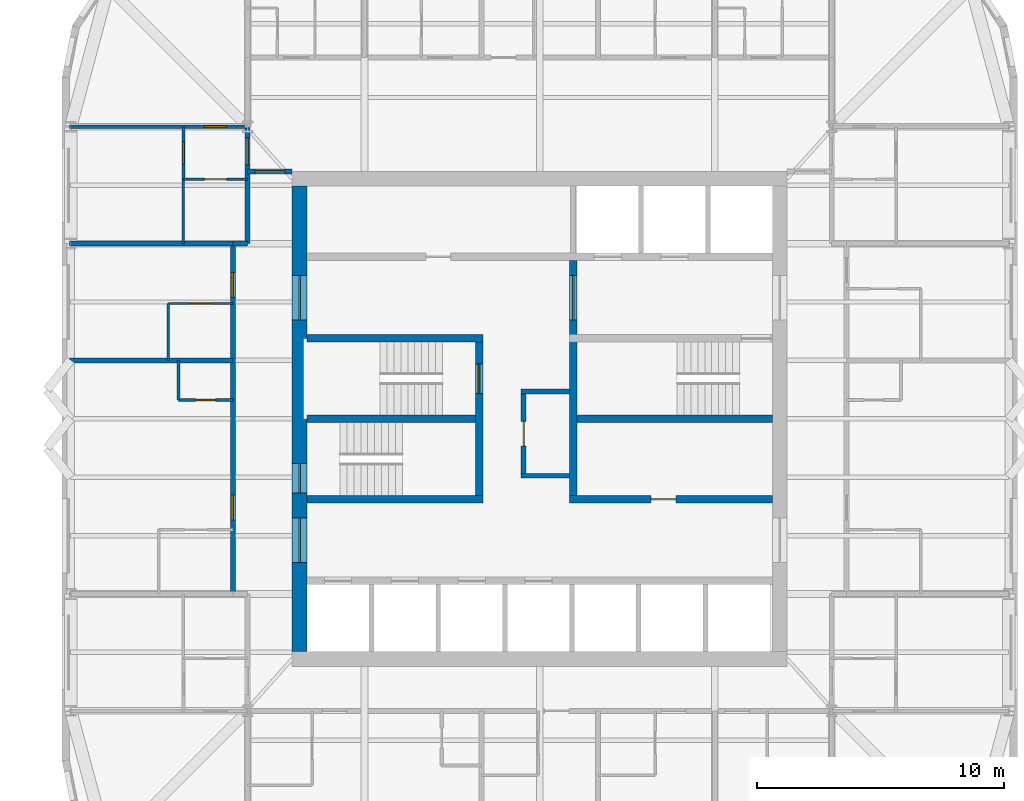
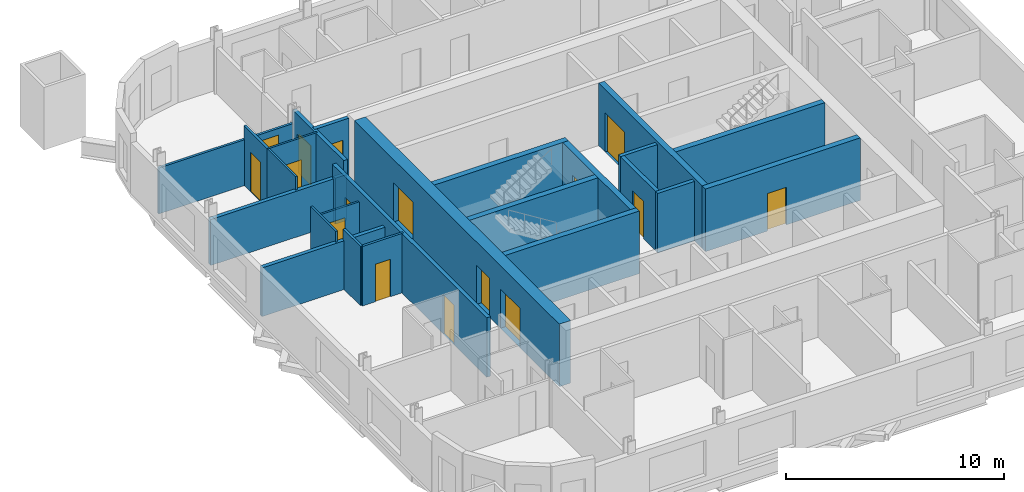
# One storey, part 4 of 9: 25 walls, 16 doors, 16 openings.
"""IFC4 building model written with IfcOpenShell, lengths in metres."""

import ifcopenshell
import ifcopenshell.guid

model = None  # the IFC model being written
_history = None  # IfcOwnerHistory: only IFC2X3 demands one
_inside = {}  # id of a spatial element -> (the spatial element, [elements in it])
_under = {}  # id of a project, library or spatial element -> (it, [spatial elements below it])
_declared = {}  # id of a project -> (the project, [libraries it declares])
_typed = {}  # id of a type object -> (the type object, [elements of that type])
_made_of = {}  # id of a material, layer set ... -> (it, [elements and type objects made of it])


def new_model(schema):
    """Start an empty IFC model of exactly this schema.

    Asked for "IFC4X3", IfcOpenShell would pick the latest addendum, in which some entities
    have other attributes; the version numbers below select the first issue.
    IFC2X3 requires an IfcOwnerHistory on every rooted entity: one is made here for all.
    """
    global model, _history
    if schema == "IFC4X3":
        model = ifcopenshell.file(schema_version=(4, 3, 0, 0))
    else:
        model = ifcopenshell.file(schema=schema)
    _inside.clear()
    _under.clear()
    _declared.clear()
    _typed.clear()
    _made_of.clear()
    _history = None
    if model.schema == "IFC2X3":
        org = make("IfcOrganization", Name="unknown")
        user = make(
            "IfcPersonAndOrganization",
            ThePerson=make("IfcPerson", FamilyName="unknown"),
            TheOrganization=org,
        )
        app = make(
            "IfcApplication",
            ApplicationDeveloper=org,
            Version="unknown",
            ApplicationFullName="unknown",
            ApplicationIdentifier="unknown",
        )
        _history = make(
            "IfcOwnerHistory",
            OwningUser=user,
            OwningApplication=app,
            ChangeAction="ADDED",
            CreationDate=0,
        )
    return model


def make(cls, **values):
    """One entity of the class cls with the attributes given. An attribute that is None is left unset."""
    return model.create_entity(
        cls, **{name: value for name, value in values.items() if value is not None}
    )


def rooted(cls, **values):
    """An entity with a GlobalId (a new one), such as an element, a storey or a relation."""
    return make(cls, GlobalId=ifcopenshell.guid.new(), OwnerHistory=_history, **values)


def si_unit(unit_type, name, prefix=None):
    """IfcSIUnit, for example si_unit("LENGTHUNIT", "METRE", prefix="MILLI")."""
    return make("IfcSIUnit", UnitType=unit_type, Prefix=prefix, Name=name)


def assignment(units):
    """IfcUnitAssignment: the units of a project."""
    return None if units is None else make("IfcUnitAssignment", Units=units)


def point(xyz):
    """IfcCartesianPoint."""
    return None if xyz is None else make("IfcCartesianPoint", Coordinates=xyz)


def direction(xyz):
    """IfcDirection."""
    return None if xyz is None else make("IfcDirection", DirectionRatios=xyz)


def frame(location, z_axis=None, x_axis=None):
    """IfcAxis2Placement3D, a coordinate frame: its origin and axes. An axis left out is left unset."""
    return make(
        "IfcAxis2Placement3D",
        Location=point(location),
        Axis=direction(z_axis),
        RefDirection=direction(x_axis),
    )


def frame_2d(location, x_axis=None):
    """IfcAxis2Placement2D, a coordinate frame in the plane: its origin and x axis."""
    return make(
        "IfcAxis2Placement2D", Location=point(location), RefDirection=direction(x_axis)
    )


def origin():
    """The frame at (0, 0, 0) with its axes left unset."""
    return frame((0.0, 0.0, 0.0))


def place(relative_to, where):
    """IfcLocalPlacement: puts the frame where relative to a parent placement (None: the world)."""
    return make(
        "IfcLocalPlacement", PlacementRelTo=relative_to, RelativePlacement=where
    )


def context(
    kind, dimensions, precision=None, world=None, true_north=None, identifier=None
):
    """IfcGeometricRepresentationContext, for example the 3D "Model" context."""
    return make(
        "IfcGeometricRepresentationContext",
        ContextIdentifier=identifier,
        ContextType=kind,
        CoordinateSpaceDimension=dimensions,
        Precision=precision,
        WorldCoordinateSystem=world,
        TrueNorth=true_north,
    )


def subcontext(parent, identifier, kind, view, scale=None):
    """IfcGeometricRepresentationSubContext, for example "Body" below "Model"."""
    return make(
        "IfcGeometricRepresentationSubContext",
        ContextIdentifier=identifier,
        ContextType=kind,
        ParentContext=parent,
        TargetScale=scale,
        TargetView=view,
    )


def project(units=None, contexts=None):
    """IfcProject with its units and contexts."""
    return rooted(
        "IfcProject",
        Name="project",
        RepresentationContexts=contexts,
        UnitsInContext=assignment(units),
    )


def spatial(cls, under=None, at=None, **own):
    """A site, building, storey or space (cls), placed at a placement, below another one or the project."""
    s = rooted(cls, ObjectPlacement=at, **own)
    if under is not None:
        _under.setdefault(under.id(), (under, []))[1].append(s)
    return s


def profile(cls, at=None, kind="AREA", **sizes):
    """A parametric profile (cls). Its sizes go by their IFC names, for example OverallWidth=200.0."""
    return make(cls, ProfileType=kind, Position=at, **sizes)


def rectangle(**sizes):
    """IfcRectangleProfileDef."""
    return profile("IfcRectangleProfileDef", **sizes)


def extrude(swept, where, along, depth):
    """IfcExtrudedAreaSolid: the profile swept, set in the frame where, extruded along a direction by depth."""
    return make(
        "IfcExtrudedAreaSolid",
        SweptArea=swept,
        Position=where,
        ExtrudedDirection=direction(along),
        Depth=depth,
    )


def shape(context_of_items, identifier, shape_type, items):
    """IfcShapeRepresentation: the items that make up one representation, for example the "Body"."""
    return make(
        "IfcShapeRepresentation",
        ContextOfItems=context_of_items,
        RepresentationIdentifier=identifier,
        RepresentationType=shape_type,
        Items=items,
    )


def material(Name=None, Category=None):
    """IfcMaterial."""
    return make("IfcMaterial", Name=Name, Category=Category)


def layer(
    of_material, thickness, ventilated=None, Name=None, Category=None, Priority=None
):
    """IfcMaterialLayer: one layer of a wall or slab, of a material (None: an air gap)."""
    return make(
        "IfcMaterialLayer",
        Material=of_material,
        LayerThickness=thickness,
        IsVentilated=ventilated,
        Name=Name,
        Category=Category,
        Priority=Priority,
    )


def layer_set(layers, Name=None):
    """IfcMaterialLayerSet."""
    return make("IfcMaterialLayerSet", MaterialLayers=layers, LayerSetName=Name)


def made_of(thing, what):
    """Note that an element or type object is made of a material, layer set ...; save() writes the relation."""
    if what is not None:
        _made_of.setdefault(what.id(), (what, []))[1].append(thing)
    return thing


def type_object(cls, material=None, **own):
    """A type object (cls), such as IfcWallType, which elements share."""
    return made_of(rooted(cls, **own), material)


def element(
    cls,
    number,
    at=None,
    inside=None,
    cuts=None,
    type_object=None,
    material=None,
    context=None,
    identifier="Body",
    shape_type=None,
    held_by="IfcProductDefinitionShape",
    body=None,
    shapes=None,
    **own,
):
    """One element of the class cls, such as IfcWall. Its Tag is "e" and its number.

    at: its placement. inside: the storey or other place that contains it. cuts: it is an
    opening in that element (IfcRelVoidsElement). A single representation is given by context,
    identifier, shape_type and body (its items); several are given by shapes. held_by: the class
    of the entity that holds the representations. save() writes the other relations.
    """
    e = rooted(cls, Tag="e%d" % number, ObjectPlacement=at, **own)
    if body is not None:
        shapes = [shape(context, identifier, shape_type, body)]
    if shapes is not None:
        e.Representation = make(held_by, Representations=shapes)
    if inside is not None:
        _inside.setdefault(inside.id(), (inside, []))[1].append(e)
    if cuts is not None:
        rooted(
            "IfcRelVoidsElement", RelatingBuildingElement=cuts, RelatedOpeningElement=e
        )
    if type_object is not None:
        _typed.setdefault(type_object.id(), (type_object, []))[1].append(e)
    return made_of(e, material)


def fill(opening, filler):
    """IfcRelFillsElement: the door or window that sits in an opening."""
    return rooted(
        "IfcRelFillsElement",
        RelatingOpeningElement=opening,
        RelatedBuildingElement=filler,
    )


def aggregate(whole, parts):
    """IfcRelAggregates: a whole, such as a stair, and the parts it consists of."""
    return rooted("IfcRelAggregates", RelatingObject=whole, RelatedObjects=parts)


def save(model, path):
    """Write the relations noted so far, then the file.

    IfcRelAggregates (storeys below a building ...), IfcRelContainedInSpatialStructure (elements
    in a storey), IfcRelDefinesByType, IfcRelAssociatesMaterial and IfcRelDeclares: one each for
    every whole, place, type object, material and project.
    """
    for whole, parts in _under.values():
        aggregate(whole, parts)
    for where, things in _inside.values():
        rooted(
            "IfcRelContainedInSpatialStructure",
            RelatedElements=things,
            RelatingStructure=where,
        )
    for kind, things in _typed.values():
        rooted("IfcRelDefinesByType", RelatedObjects=things, RelatingType=kind)
    for what, things in _made_of.values():
        rooted("IfcRelAssociatesMaterial", RelatedObjects=things, RelatingMaterial=what)
    for by, libraries in _declared.values():
        rooted("IfcRelDeclares", RelatingContext=by, RelatedDefinitions=libraries)
    model.write(path)


model = new_model("IFC4")

# Units and contexts
model_context = context("Model", 3, precision=1e-05, world=origin(), true_north=direction((0.0, 1.0)))
body_context = subcontext(model_context, "Body", "Model", "MODEL_VIEW")
ifc_project = project(units=[si_unit("LENGTHUNIT", "METRE"), si_unit("AREAUNIT", "SQUARE_METRE"), si_unit("VOLUMEUNIT", "CUBIC_METRE"), si_unit("PLANEANGLEUNIT", "RADIAN"), si_unit("MASSUNIT", "GRAM", prefix="KILO")], contexts=[model_context])

# Site, building, storey
site_placement = place(None, origin())
site = spatial("IfcSite", under=ifc_project, at=site_placement, CompositionType="ELEMENT")
building_placement = place(site_placement, origin())
building = spatial("IfcBuilding", under=site, at=building_placement, Name="Turquesa Mirador Hotel Tower", CompositionType="ELEMENT")
storey_placement = place(building_placement, frame((0.0, 0.0, 189.800048828125)))
storey = spatial("IfcBuildingStorey", under=building, at=storey_placement, Name="L51", CompositionType="ELEMENT", Elevation=189.800048828125)

# Wall, opening, door
ifc_material_1 = material(Name="Gypsum board on steel studs", Category="steel")
ifc_layer_1 = layer(ifc_material_1, 0.10009765625)
ifc_layer_set_1 = layer_set([ifc_layer_1], Name="BATHROOM WALL 100")
wall_type_1 = type_object("IfcWallType", Name="BATHROOM WALL 100", PredefinedType="PARTITIONING", material=ifc_layer_set_1)
wall_1_placement = place(storey_placement, frame((40.0, 49.659912109375, 0.0), z_axis=(0.0, 0.0, 1.0), x_axis=(1.0, 0.0, 0.0)))
wall_1 = element("IfcWall", 1, at=wall_1_placement, inside=storey, type_object=wall_type_1, Name="Partition L51 033", PredefinedType="PARTITIONING", context=body_context, shape_type="SweptSolid", body=[
    extrude(rectangle(XDim=2.60009765625, YDim=0.10009765625, at=frame_2d((1.300048828125, 0.0))), origin(), (0.0, 0.0, 1.0), 2.73046875),
])
opening_1_placement = place(wall_1_placement, frame((0.85009765625, 0.0, 0.0)))
opening_1 = element("IfcOpeningElement", 2, at=opening_1_placement, cuts=wall_1, Name="Opening D02", PredefinedType="OPENING", context=body_context, shape_type="SweptSolid", body=[
    extrude(rectangle(XDim=0.89990234375, YDim=2.10009765625, at=frame_2d((0.449951171875, 1.050048828125))), frame((0.0, 0.06005859375, 0.0), z_axis=(0.0, -1.0, 0.0), x_axis=(1.0, 0.0, 0.0)), (0.0, 0.0, 1.0), 0.1201171875),
])
ifc_material_2 = material(Name="Timber veneered door", Category="wood")
door_type_1 = type_object("IfcDoorType", Name="DOOR 900X2100 EN-SUITE", OperationType="SINGLE_SWING_RIGHT", PredefinedType="DOOR", material=ifc_material_2)
door_1_placement = place(opening_1_placement, origin())
door_1 = element("IfcDoor", 3, at=door_1_placement, inside=storey, type_object=door_type_1, Name="Door 5113B", OperationType="SINGLE_SWING_RIGHT", OverallHeight=2.10009765625, OverallWidth=0.89990234375, PredefinedType="DOOR", context=body_context, shape_type="SweptSolid", body=[
    extrude(rectangle(XDim=0.89990234375, YDim=2.10009765625, at=frame_2d((0.449951171875, 1.050048828125))), frame((0.0, 0.02490234375, 0.0), z_axis=(0.0, -1.0, 0.0), x_axis=(1.0, 0.0, 0.0)), (0.0, 0.0, 1.0), 0.050048828125),
])
fill(opening_1, door_1)

wall_2_placement = place(storey_placement, frame((40.60009765625, 54.679931640625, 0.0), z_axis=(0.0, 0.0, 1.0), x_axis=(1.0, 0.0, 0.0)))
wall_2 = element("IfcWall", 4, at=wall_2_placement, inside=storey, type_object=wall_type_1, Name="Partition L51 039", PredefinedType="PARTITIONING", context=body_context, shape_type="SweptSolid", body=[
    extrude(rectangle(XDim=2.599853515625, YDim=0.10009765625, at=frame_2d((1.2998046875, 0.0))), origin(), (0.0, 0.0, 1.0), 3.329833984375),
])
opening_2_placement = place(wall_2_placement, frame((0.85009765625, 0.0, 0.0)))
opening_2 = element("IfcOpeningElement", 5, at=opening_2_placement, cuts=wall_2, Name="Opening D02", PredefinedType="OPENING", context=body_context, shape_type="SweptSolid", body=[
    extrude(rectangle(XDim=0.89990234375, YDim=2.10009765625, at=frame_2d((0.449951171875, 1.050048828125))), frame((0.0, 0.06005859375, 0.0), z_axis=(0.0, -1.0, 0.0), x_axis=(1.0, 0.0, 0.0)), (0.0, 0.0, 1.0), 0.1201171875),
])
door_2_placement = place(opening_2_placement, origin())
door_2 = element("IfcDoor", 6, at=door_2_placement, inside=storey, type_object=door_type_1, Name="Door 5115B", OperationType="SINGLE_SWING_RIGHT", OverallHeight=2.10009765625, OverallWidth=0.89990234375, PredefinedType="DOOR", context=body_context, shape_type="SweptSolid", body=[
    extrude(rectangle(XDim=0.89990234375, YDim=2.10009765625, at=frame_2d((0.449951171875, 1.050048828125))), frame((0.0, 0.02490234375, 0.0), z_axis=(0.0, -1.0, 0.0), x_axis=(1.0, 0.0, 0.0)), (0.0, 0.0, 1.0), 0.050048828125),
])
fill(opening_2, door_2)

# Walls
wall_3_placement = place(storey_placement, frame((40.60009765625, 52.080078125, 0.0), z_axis=(0.0, 0.0, 1.0), x_axis=(0.0, 1.0, 0.0)))
element("IfcWall", 7, at=wall_3_placement, inside=storey, type_object=wall_type_1, Name="Partition L51 050", PredefinedType="PARTITIONING", context=body_context, shape_type="SweptSolid", body=[
    extrude(rectangle(XDim=2.599853515625, YDim=0.10009765625, at=frame_2d((1.2998046875, 0.0))), origin(), (0.0, 0.0, 1.0), 3.329833984375),
])
wall_4_placement = place(storey_placement, frame((40.0, 47.360107421875, 0.0), z_axis=(0.0, 0.0, 1.0), x_axis=(0.0, 1.0, 0.0)))
element("IfcWall", 8, at=wall_4_placement, inside=storey, type_object=wall_type_1, Name="Partition L51 054", PredefinedType="PARTITIONING", context=body_context, shape_type="SweptSolid", body=[
    extrude(rectangle(XDim=2.2998046875, YDim=0.10009765625, at=frame_2d((1.14990234375, 0.0))), origin(), (0.0, 0.0, 1.0), 3.329833984375),
])
ifc_material_3 = material(Name="Concrete C50/60", Category="concrete")
ifc_layer_2 = layer(ifc_material_3, 0.300048828125)
ifc_layer_set_2 = layer_set([ifc_layer_2], Name="CORE INNER WALL 300")
wall_type_2 = type_object("IfcWallType", Name="CORE INNER WALL 300", PredefinedType="SHEAR", material=ifc_layer_set_2)
for number, where, z_axis, x_axis, name in (
    (9, (45.60009765625, 48.25, 0.0), (0.0, 0.0, 1.0), (1.0, 0.0, 0.0), "Core wall MN-W"),
    (10, (45.60009765625, 41.75, 0.0), (0.0, 0.0, 1.0), (1.0, 0.0, 0.0), "Core wall MS-W"),
):
    element("IfcWall", number, at=place(storey_placement, frame(where, z_axis=z_axis, x_axis=x_axis)), inside=storey, type_object=wall_type_2, Name=name, PredefinedType="SHEAR", context=body_context, shape_type="SweptSolid", body=[
        extrude(rectangle(XDim=7.099853515625, YDim=0.300048828125, at=frame_2d((3.5498046875, 0.0))), origin(), (0.0, 0.0, 1.0), 3.5),
    ])

# Wall, opening, door
wall_5_placement = place(storey_placement, frame((56.199951171875, 41.75, 0.0), z_axis=(0.0, 0.0, 1.0), x_axis=(1.0, 0.0, 0.0)))
wall_5 = element("IfcWall", 11, at=wall_5_placement, inside=storey, type_object=wall_type_2, Name="Core wall MS-E", PredefinedType="SHEAR", context=body_context, shape_type="SweptSolid", body=[
    extrude(rectangle(XDim=8.199951171875, YDim=0.300048828125, at=frame_2d((4.10009765625, 0.0))), origin(), (0.0, 0.0, 1.0), 3.5),
])
opening_3_placement = place(wall_5_placement, frame((3.300048828125, 0.0, 0.0)))
opening_3 = element("IfcOpeningElement", 12, at=opening_3_placement, cuts=wall_5, Name="Opening D05", PredefinedType="OPENING", context=body_context, shape_type="SweptSolid", body=[
    extrude(rectangle(XDim=1.0, YDim=2.10009765625, at=frame_2d((0.5, 1.050048828125))), frame((0.0, 0.159912109375, 0.0), z_axis=(0.0, -1.0, 0.0), x_axis=(1.0, 0.0, 0.0)), (0.0, 0.0, 1.0), 0.320068359375),
])
ifc_material_4 = material(Name="Steel fire door", Category="steel")
door_type_2 = type_object("IfcDoorType", Name="DOOR 1000X2100 SERVICE", OperationType="SINGLE_SWING_LEFT", PredefinedType="DOOR", material=ifc_material_4)
door_3_placement = place(opening_3_placement, origin())
door_3 = element("IfcDoor", 13, at=door_3_placement, inside=storey, type_object=door_type_2, Name="Housekeeping room door", OperationType="SINGLE_SWING_LEFT", OverallHeight=2.10009765625, OverallWidth=1.0, PredefinedType="DOOR", context=body_context, shape_type="SweptSolid", body=[
    extrude(rectangle(XDim=1.0, YDim=2.10009765625, at=frame_2d((0.5, 1.050048828125))), frame((0.0, 0.02490234375, 0.0), z_axis=(0.0, -1.0, 0.0), x_axis=(1.0, 0.0, 0.0)), (0.0, 0.0, 1.0), 0.050048828125),
])
fill(opening_3, door_3)

wall_6_placement = place(storey_placement, frame((52.550048828125, 41.89990234375, 0.0), z_axis=(0.0, 0.0, 1.0), x_axis=(0.0, 1.0, 0.0)))
wall_6 = element("IfcWall", 14, at=wall_6_placement, inside=storey, type_object=wall_type_2, Name="Core wall PW", PredefinedType="SHEAR", context=body_context, shape_type="SweptSolid", body=[
    extrude(rectangle(XDim=6.2001953125, YDim=0.300048828125, at=frame_2d((3.10009765625, 0.0))), origin(), (0.0, 0.0, 1.0), 3.5),
])
opening_4_placement = place(wall_6_placement, frame((4.125, 0.0, 0.0)))
opening_4 = element("IfcOpeningElement", 15, at=opening_4_placement, cuts=wall_6, Name="Opening D03", PredefinedType="OPENING", context=body_context, shape_type="SweptSolid", body=[
    extrude(rectangle(XDim=1.199951171875, YDim=2.199951171875, at=frame_2d((0.60009765625, 1.10009765625))), frame((0.0, 0.159912109375, 0.0), z_axis=(0.0, -1.0, 0.0), x_axis=(1.0, 0.0, 0.0)), (0.0, 0.0, 1.0), 0.320068359375),
])
ifc_material_5 = material(Name="Steel fire door", Category="steel")
door_type_3 = type_object("IfcDoorType", Name="DOOR 1200X2200 STAIR", OperationType="SINGLE_SWING_LEFT", PredefinedType="DOOR", material=ifc_material_5)
door_4_placement = place(opening_4_placement, origin())
door_4 = element("IfcDoor", 16, at=door_4_placement, inside=storey, type_object=door_type_3, Name="Stair ST1 door", OperationType="SINGLE_SWING_LEFT", OverallHeight=2.199951171875, OverallWidth=1.199951171875, PredefinedType="DOOR", context=body_context, shape_type="SweptSolid", body=[
    extrude(rectangle(XDim=1.199951171875, YDim=2.199951171875, at=frame_2d((0.60009765625, 1.10009765625))), frame((0.0, 0.02490234375, 0.0), z_axis=(0.0, -1.0, 0.0), x_axis=(1.0, 0.0, 0.0)), (0.0, 0.0, 1.0), 0.050048828125),
])
fill(opening_4, door_4)

wall_7_placement = place(storey_placement, frame((56.35009765625, 41.89990234375, 0.0), z_axis=(0.0, 0.0, 1.0), x_axis=(0.0, 1.0, 0.0)))
wall_7 = element("IfcWall", 17, at=wall_7_placement, inside=storey, type_object=wall_type_2, Name="Core wall PE", PredefinedType="SHEAR", context=body_context, shape_type="SweptSolid", body=[
    extrude(rectangle(XDim=9.5, YDim=0.300048828125, at=frame_2d((4.75, 0.0))), origin(), (0.0, 0.0, 1.0), 3.5),
])
opening_5_placement = place(wall_7_placement, frame((7.10009765625, 0.0, 0.0)))
opening_5 = element("IfcOpeningElement", 18, at=opening_5_placement, cuts=wall_7, Name="Opening D04", PredefinedType="OPENING", context=body_context, shape_type="SweptSolid", body=[
    extrude(rectangle(XDim=1.800048828125, YDim=2.199951171875, at=frame_2d((0.89990234375, 1.10009765625))), frame((0.0, 0.159912109375, 0.0), z_axis=(0.0, -1.0, 0.0), x_axis=(1.0, 0.0, 0.0)), (0.0, 0.0, 1.0), 0.320068359375),
])
ifc_material_6 = material(Name="Steel fire door pair", Category="steel")
door_type_4 = type_object("IfcDoorType", Name="DOOR 1800X2200 PAIR", OperationType="DOUBLE_DOOR_SINGLE_SWING", PredefinedType="DOOR", material=ifc_material_6)
door_5_placement = place(opening_5_placement, origin())
door_5 = element("IfcDoor", 19, at=door_5_placement, inside=storey, type_object=door_type_4, Name="Firefighting lobby inner door", OperationType="DOUBLE_DOOR_SINGLE_SWING", OverallHeight=2.199951171875, OverallWidth=1.800048828125, PredefinedType="DOOR", context=body_context, shape_type="SweptSolid", body=[
    extrude(rectangle(XDim=1.800048828125, YDim=2.199951171875, at=frame_2d((0.89990234375, 1.10009765625))), frame((0.0, 0.02490234375, 0.0), z_axis=(0.0, -1.0, 0.0), x_axis=(1.0, 0.0, 0.0)), (0.0, 0.0, 1.0), 0.050048828125),
])
fill(opening_5, door_5)

# Walls
wall_8_placement = place(storey_placement, frame((45.60009765625, 45.0, 0.0), z_axis=(0.0, 0.0, 1.0), x_axis=(1.0, 0.0, 0.0)))
element("IfcWall", 20, at=wall_8_placement, inside=storey, type_object=wall_type_2, Name="Core wall M0-W", PredefinedType="SHEAR", context=body_context, shape_type="SweptSolid", body=[
    extrude(rectangle(XDim=6.7998046875, YDim=0.300048828125, at=frame_2d((3.39990234375, 0.0))), origin(), (0.0, 0.0, 1.0), 3.5),
])
wall_9_placement = place(storey_placement, frame((56.5, 45.0, 0.0), z_axis=(0.0, 0.0, 1.0), x_axis=(1.0, 0.0, 0.0)))
element("IfcWall", 21, at=wall_9_placement, inside=storey, type_object=wall_type_2, Name="Core wall M0-E", PredefinedType="SHEAR", context=body_context, shape_type="SweptSolid", body=[
    extrude(rectangle(XDim=7.89990234375, YDim=0.300048828125, at=frame_2d((3.949951171875, 0.0))), origin(), (0.0, 0.0, 1.0), 3.5),
])

# Wall, openings, doors
ifc_material_7 = material(Name="Concrete C50/60", Category="concrete")
ifc_layer_3 = layer(ifc_material_7, 0.60009765625)
ifc_layer_set_3 = layer_set([ifc_layer_3], Name="CORE WALL 600")
wall_type_3 = type_object("IfcWallType", Name="CORE WALL 600", PredefinedType="SHEAR", material=ifc_layer_set_3)
wall_10_placement = place(storey_placement, frame((45.300048828125, 35.60009765625, 0.0), z_axis=(0.0, 0.0, 1.0), x_axis=(0.0, 1.0, 0.0)))
wall_10 = element("IfcWall", 22, at=wall_10_placement, inside=storey, type_object=wall_type_3, Name="Core wall W", PredefinedType="SHEAR", context=body_context, shape_type="SweptSolid", body=[
    extrude(rectangle(XDim=18.7998046875, YDim=0.60009765625, at=frame_2d((9.39990234375, 0.0))), origin(), (0.0, 0.0, 1.0), 3.5),
])
opening_6_placement = place(wall_10_placement, frame((13.39990234375, 0.0, 0.0)))
opening_6 = element("IfcOpeningElement", 23, at=opening_6_placement, cuts=wall_10, Name="Opening D04", PredefinedType="OPENING", context=body_context, shape_type="SweptSolid", body=[
    extrude(rectangle(XDim=1.800048828125, YDim=2.199951171875, at=frame_2d((0.89990234375, 1.10009765625))), frame((0.0, 0.31005859375, 0.0), z_axis=(0.0, -1.0, 0.0), x_axis=(1.0, 0.0, 0.0)), (0.0, 0.0, 1.0), 0.6201171875),
])
opening_7_placement = place(wall_10_placement, frame((3.60009765625, 0.0, 0.0)))
opening_7 = element("IfcOpeningElement", 24, at=opening_7_placement, cuts=wall_10, Name="Opening D04", PredefinedType="OPENING", context=body_context, shape_type="SweptSolid", body=[
    extrude(rectangle(XDim=1.800048828125, YDim=2.199951171875, at=frame_2d((0.89990234375, 1.10009765625))), frame((0.0, 0.31005859375, 0.0), z_axis=(0.0, -1.0, 0.0), x_axis=(1.0, 0.0, 0.0)), (0.0, 0.0, 1.0), 0.6201171875),
])
opening_8_placement = place(wall_10_placement, frame((6.39990234375, 0.0, 0.0)))
opening_8 = element("IfcOpeningElement", 25, at=opening_8_placement, cuts=wall_10, Name="Opening D03", PredefinedType="OPENING", context=body_context, shape_type="SweptSolid", body=[
    extrude(rectangle(XDim=1.199951171875, YDim=2.199951171875, at=frame_2d((0.60009765625, 1.10009765625))), frame((0.0, 0.31005859375, 0.0), z_axis=(0.0, -1.0, 0.0), x_axis=(1.0, 0.0, 0.0)), (0.0, 0.0, 1.0), 0.6201171875),
])
door_6_placement = place(opening_8_placement, origin())
door_6 = element("IfcDoor", 26, at=door_6_placement, inside=storey, type_object=door_type_3, Name="Stair ST2 door", OperationType="SINGLE_SWING_LEFT", OverallHeight=2.199951171875, OverallWidth=1.199951171875, PredefinedType="DOOR", context=body_context, shape_type="SweptSolid", body=[
    extrude(rectangle(XDim=1.199951171875, YDim=2.199951171875, at=frame_2d((0.60009765625, 1.10009765625))), frame((0.0, 0.02490234375, 0.0), z_axis=(0.0, -1.0, 0.0), x_axis=(1.0, 0.0, 0.0)), (0.0, 0.0, 1.0), 0.050048828125),
])
fill(opening_8, door_6)
door_7_placement = place(opening_6_placement, origin())
door_7 = element("IfcDoor", 27, at=door_7_placement, inside=storey, type_object=door_type_4, Name="North lift lobby door", OperationType="DOUBLE_DOOR_SINGLE_SWING", OverallHeight=2.199951171875, OverallWidth=1.800048828125, PredefinedType="DOOR", context=body_context, shape_type="SweptSolid", body=[
    extrude(rectangle(XDim=1.800048828125, YDim=2.199951171875, at=frame_2d((0.89990234375, 1.10009765625))), frame((0.0, 0.02490234375, 0.0), z_axis=(0.0, -1.0, 0.0), x_axis=(1.0, 0.0, 0.0)), (0.0, 0.0, 1.0), 0.050048828125),
])
fill(opening_6, door_7)
door_8_placement = place(opening_7_placement, origin())
door_8 = element("IfcDoor", 28, at=door_8_placement, inside=storey, type_object=door_type_4, Name="South lift lobby door", OperationType="DOUBLE_DOOR_SINGLE_SWING", OverallHeight=2.199951171875, OverallWidth=1.800048828125, PredefinedType="DOOR", context=body_context, shape_type="SweptSolid", body=[
    extrude(rectangle(XDim=1.800048828125, YDim=2.199951171875, at=frame_2d((0.89990234375, 1.10009765625))), frame((0.0, 0.02490234375, 0.0), z_axis=(0.0, -1.0, 0.0), x_axis=(1.0, 0.0, 0.0)), (0.0, 0.0, 1.0), 0.050048828125),
])
fill(opening_7, door_8)

# Wall, opening, door
ifc_material_8 = material(Name="Fire-rated gypsum board on steel studs", Category="steel")
ifc_layer_4 = layer(ifc_material_8, 0.199951171875)
ifc_layer_set_4 = layer_set([ifc_layer_4], Name="CORRIDOR WALL 200")
wall_type_4 = type_object("IfcWallType", Name="CORRIDOR WALL 200", PredefinedType="PARTITIONING", material=ifc_layer_set_4)
wall_11_placement = place(storey_placement, frame((43.199951171875, 55.0, 0.0), z_axis=(0.0, 0.0, 1.0), x_axis=(1.0, 0.0, 0.0)))
wall_11 = element("IfcWall", 29, at=wall_11_placement, inside=storey, type_object=wall_type_4, Name="Partition L51 019", PredefinedType="PARTITIONING", context=body_context, shape_type="SweptSolid", body=[
    extrude(rectangle(XDim=1.800048828125, YDim=0.199951171875, at=frame_2d((0.89990234375, 0.0))), origin(), (0.0, 0.0, 1.0), 3.329833984375),
])
opening_9_placement = place(wall_11_placement, frame((0.300048828125, 0.0, 0.0)))
opening_9 = element("IfcOpeningElement", 30, at=opening_9_placement, cuts=wall_11, Name="Opening D19", PredefinedType="OPENING", context=body_context, shape_type="SweptSolid", body=[
    extrude(rectangle(XDim=1.199951171875, YDim=2.199951171875, at=frame_2d((0.60009765625, 1.10009765625))), frame((0.0, 0.10986328125, 0.0), z_axis=(0.0, -1.0, 0.0), x_axis=(1.0, 0.0, 0.0)), (0.0, 0.0, 1.0), 0.219970703125),
])
ifc_material_9 = material(Name="Steel glazed fire door", Category="steel")
door_type_5 = type_object("IfcDoorType", Name="DOOR 1200X2200 FIRE DOOR GLAZED", OperationType="SINGLE_SWING_LEFT", PredefinedType="DOOR", material=ifc_material_9)
door_9_placement = place(opening_9_placement, origin())
door_9 = element("IfcDoor", 31, at=door_9_placement, inside=storey, type_object=door_type_5, Name="Door L51-C03", OperationType="SINGLE_SWING_LEFT", OverallHeight=2.199951171875, OverallWidth=1.199951171875, PredefinedType="DOOR", context=body_context, shape_type="SweptSolid", body=[
    extrude(rectangle(XDim=1.199951171875, YDim=2.199951171875, at=frame_2d((0.60009765625, 1.10009765625))), frame((0.0, 0.02490234375, 0.0), z_axis=(0.0, -1.0, 0.0), x_axis=(1.0, 0.0, 0.0)), (0.0, 0.0, 1.0), 0.050048828125),
])
fill(opening_9, door_9)

# Wall
wall_12_placement = place(storey_placement, frame((42.60009765625, 52.080078125, 0.0), z_axis=(0.0, 0.0, 1.0), x_axis=(1.0, 0.0, 0.0)))
element("IfcWall", 32, at=wall_12_placement, inside=storey, type_object=wall_type_4, Name="Partition L51 035", PredefinedType="PARTITIONING", context=body_context, shape_type="SweptSolid", body=[
    extrude(rectangle(XDim=0.599853515625, YDim=0.199951171875, at=frame_2d((0.2998046875, 0.0))), origin(), (0.0, 0.0, 1.0), 2.572998046875),
])

# Wall, opening, door
wall_13_placement = place(storey_placement, frame((43.199951171875, 52.080078125, 0.0), z_axis=(0.0, 0.0, 1.0), x_axis=(0.0, 1.0, 0.0)))
wall_13 = element("IfcWall", 33, at=wall_13_placement, inside=storey, type_object=wall_type_4, Name="Partition L51 045", PredefinedType="PARTITIONING", context=body_context, shape_type="SweptSolid", body=[
    extrude(rectangle(XDim=4.699951171875, YDim=0.199951171875, at=frame_2d((2.35009765625, 0.0))), origin(), (0.0, 0.0, 1.0), 3.329833984375),
])
opening_10_placement = place(wall_13_placement, frame((3.169921875, 0.0, 0.0)))
opening_10 = element("IfcOpeningElement", 34, at=opening_10_placement, cuts=wall_13, Name="Opening D15", PredefinedType="OPENING", context=body_context, shape_type="SweptSolid", body=[
    extrude(rectangle(XDim=1.10009765625, YDim=2.199951171875, at=frame_2d((0.550048828125, 1.10009765625))), frame((0.0, 0.10986328125, 0.0), z_axis=(0.0, -1.0, 0.0), x_axis=(1.0, 0.0, 0.0)), (0.0, 0.0, 1.0), 0.219970703125),
])
ifc_material_10 = material(Name="Timber veneered fire door", Category="wood")
door_type_6 = type_object("IfcDoorType", Name="DOOR 1100X2200 SUITE ENTRY", OperationType="SINGLE_SWING_LEFT", PredefinedType="DOOR", material=ifc_material_10)
door_10_placement = place(opening_10_placement, origin())
door_10 = element("IfcDoor", 35, at=door_10_placement, inside=storey, type_object=door_type_6, Name="Door 5115H", OperationType="SINGLE_SWING_LEFT", OverallHeight=2.199951171875, OverallWidth=1.10009765625, PredefinedType="DOOR", context=body_context, shape_type="SweptSolid", body=[
    extrude(rectangle(XDim=1.10009765625, YDim=2.199951171875, at=frame_2d((0.550048828125, 1.10009765625))), frame((0.0, 0.02490234375, 0.0), z_axis=(0.0, -1.0, 0.0), x_axis=(1.0, 0.0, 0.0)), (0.0, 0.0, 1.0), 0.050048828125),
])
fill(opening_10, door_10)

# Wall, openings, doors
wall_14_placement = place(storey_placement, frame((42.60009765625, 37.919921875, 0.0), z_axis=(0.0, 0.0, 1.0), x_axis=(0.0, 1.0, 0.0)))
wall_14 = element("IfcWall", 36, at=wall_14_placement, inside=storey, type_object=wall_type_4, Name="Partition L51 048", PredefinedType="PARTITIONING", context=body_context, shape_type="SweptSolid", body=[
    extrude(rectangle(XDim=14.16015625, YDim=0.199951171875, at=frame_2d((7.080078125, 0.0))), origin(), (0.0, 0.0, 1.0), 3.329833984375),
])
opening_11_placement = place(wall_14_placement, frame((3.0, 0.0, 0.0)))
opening_11 = element("IfcOpeningElement", 37, at=opening_11_placement, cuts=wall_14, Name="Opening D01", PredefinedType="OPENING", context=body_context, shape_type="SweptSolid", body=[
    extrude(rectangle(XDim=1.0, YDim=2.199951171875, at=frame_2d((0.5, 1.10009765625))), frame((0.0, 0.10986328125, 0.0), z_axis=(0.0, -1.0, 0.0), x_axis=(1.0, 0.0, 0.0)), (0.0, 0.0, 1.0), 0.219970703125),
])
opening_12_placement = place(wall_14_placement, frame((11.989990234375, 0.0, 0.0)))
opening_12 = element("IfcOpeningElement", 38, at=opening_12_placement, cuts=wall_14, Name="Opening D01", PredefinedType="OPENING", context=body_context, shape_type="SweptSolid", body=[
    extrude(rectangle(XDim=1.0, YDim=2.199951171875, at=frame_2d((0.5, 1.10009765625))), frame((0.0, 0.10986328125, 0.0), z_axis=(0.0, -1.0, 0.0), x_axis=(1.0, 0.0, 0.0)), (0.0, 0.0, 1.0), 0.219970703125),
])
ifc_material_11 = material(Name="Timber veneered fire door", Category="wood")
door_type_7 = type_object("IfcDoorType", Name="DOOR 1000X2200 GUEST ENTRY", OperationType="SINGLE_SWING_LEFT", PredefinedType="DOOR", material=ifc_material_11)
door_11_placement = place(opening_11_placement, origin())
door_11 = element("IfcDoor", 39, at=door_11_placement, inside=storey, type_object=door_type_7, Name="Door 5112", OperationType="SINGLE_SWING_LEFT", OverallHeight=2.199951171875, OverallWidth=1.0, PredefinedType="DOOR", context=body_context, shape_type="SweptSolid", body=[
    extrude(rectangle(XDim=1.0, YDim=2.199951171875, at=frame_2d((0.5, 1.10009765625))), frame((0.0, 0.02490234375, 0.0), z_axis=(0.0, -1.0, 0.0), x_axis=(1.0, 0.0, 0.0)), (0.0, 0.0, 1.0), 0.050048828125),
])
fill(opening_11, door_11)
door_12_placement = place(opening_12_placement, origin())
door_12 = element("IfcDoor", 40, at=door_12_placement, inside=storey, type_object=door_type_7, Name="Door 5113", OperationType="SINGLE_SWING_LEFT", OverallHeight=2.199951171875, OverallWidth=1.0, PredefinedType="DOOR", context=body_context, shape_type="SweptSolid", body=[
    extrude(rectangle(XDim=1.0, YDim=2.199951171875, at=frame_2d((0.5, 1.10009765625))), frame((0.0, 0.02490234375, 0.0), z_axis=(0.0, -1.0, 0.0), x_axis=(1.0, 0.0, 0.0)), (0.0, 0.0, 1.0), 0.050048828125),
])
fill(opening_12, door_12)

# Wall, opening, door
ifc_material_12 = material(Name="Fire-rated gypsum board on steel studs", Category="steel")
ifc_layer_5 = layer(ifc_material_12, 0.199951171875)
ifc_layer_set_5 = layer_set([ifc_layer_5], Name="FIRE PARTITION 200")
wall_type_5 = type_object("IfcWallType", Name="FIRE PARTITION 200", PredefinedType="PARTITIONING", material=ifc_layer_set_5)
wall_15_placement = place(storey_placement, frame((54.35009765625, 42.699951171875, 0.0), z_axis=(0.0, 0.0, 1.0), x_axis=(0.0, 1.0, 0.0)))
wall_15 = element("IfcWall", 41, at=wall_15_placement, inside=storey, type_object=wall_type_5, Name="Partition L51 GL W", PredefinedType="PARTITIONING", context=body_context, shape_type="SweptSolid", body=[
    extrude(rectangle(XDim=3.400146484375, YDim=0.199951171875, at=frame_2d((1.7001953125, 0.0))), origin(), (0.0, 0.0, 1.0), 3.329833984375),
])
opening_13_placement = place(wall_15_placement, frame((1.199951171875, 0.0, 0.0)))
opening_13 = element("IfcOpeningElement", 42, at=opening_13_placement, cuts=wall_15, Name="Opening D05", PredefinedType="OPENING", context=body_context, shape_type="SweptSolid", body=[
    extrude(rectangle(XDim=1.0, YDim=2.10009765625, at=frame_2d((0.5, 1.050048828125))), frame((0.0, 0.10986328125, 0.0), z_axis=(0.0, -1.0, 0.0), x_axis=(1.0, 0.0, 0.0)), (0.0, 0.0, 1.0), 0.219970703125),
])
door_13_placement = place(opening_13_placement, origin())
door_13 = element("IfcDoor", 43, at=door_13_placement, inside=storey, type_object=door_type_2, Name="Guest laundry room door", OperationType="SINGLE_SWING_LEFT", OverallHeight=2.10009765625, OverallWidth=1.0, PredefinedType="DOOR", context=body_context, shape_type="SweptSolid", body=[
    extrude(rectangle(XDim=1.0, YDim=2.10009765625, at=frame_2d((0.5, 1.050048828125))), frame((0.0, 0.02490234375, 0.0), z_axis=(0.0, -1.0, 0.0), x_axis=(1.0, 0.0, 0.0)), (0.0, 0.0, 1.0), 0.050048828125),
])
fill(opening_13, door_13)

# Walls
for number, where, z_axis, x_axis, name in (
    (44, (54.25, 42.699951171875, 0.0), (0.0, 0.0, 1.0), (1.0, 0.0, 0.0), "Partition L51 GL S"),
    (45, (54.25, 46.10009765625, 0.0), (0.0, 0.0, 1.0), (1.0, 0.0, 0.0), "Partition L51 GL N"),
):
    element("IfcWall", number, at=place(storey_placement, frame(where, z_axis=z_axis, x_axis=x_axis)), inside=storey, type_object=wall_type_5, Name=name, PredefinedType="PARTITIONING", context=body_context, shape_type="SweptSolid", body=[
        extrude(rectangle(XDim=1.949951171875, YDim=0.199951171875, at=frame_2d((0.97509765625, 0.0))), origin(), (0.0, 0.0, 1.0), 3.329833984375),
    ])
ifc_material_13 = material(Name="Fire-rated gypsum board on steel studs", Category="steel")
ifc_layer_6 = layer(ifc_material_13, 0.199951171875)
ifc_layer_set_6 = layer_set([ifc_layer_6], Name="PARTY WALL 200")
wall_type_6 = type_object("IfcWallType", Name="PARTY WALL 200", PredefinedType="PARTITIONING", material=ifc_layer_set_6)
wall_16_placement = place(storey_placement, frame((36.0, 47.360107421875, 0.0), z_axis=(0.0, 0.0, 1.0), x_axis=(1.0, 0.0, 0.0)))
element("IfcWall", 46, at=wall_16_placement, inside=storey, type_object=wall_type_6, Name="Partition L51 031", PredefinedType="PARTITIONING", context=body_context, shape_type="SweptSolid", body=[
    extrude(rectangle(XDim=6.60009765625, YDim=0.199951171875, at=frame_2d((3.300048828125, 0.0))), origin(), (0.0, 0.0, 1.0), 2.73046875),
])
wall_17_placement = place(storey_placement, frame((36.0, 52.080078125, 0.0), z_axis=(0.0, 0.0, 1.0), x_axis=(1.0, 0.0, 0.0)))
element("IfcWall", 47, at=wall_17_placement, inside=storey, type_object=wall_type_6, Name="Partition L51 037", PredefinedType="PARTITIONING", context=body_context, shape_type="SweptSolid", body=[
    extrude(rectangle(XDim=6.60009765625, YDim=0.199951171875, at=frame_2d((3.300048828125, 0.0))), origin(), (0.0, 0.0, 1.0), 2.572998046875),
])

# Wall, opening, door
ifc_material_14 = material(Name="Acoustic gypsum board on steel studs", Category="steel")
ifc_layer_7 = layer(ifc_material_14, 0.125)
ifc_layer_set_7 = layer_set([ifc_layer_7], Name="SUITE PARTITION 125")
wall_type_7 = type_object("IfcWallType", Name="SUITE PARTITION 125", PredefinedType="PARTITIONING", material=ifc_layer_set_7)
wall_18_placement = place(storey_placement, frame((40.39990234375, 45.760009765625, 0.0), z_axis=(0.0, 0.0, 1.0), x_axis=(1.0, 0.0, 0.0)))
wall_18 = element("IfcWall", 48, at=wall_18_placement, inside=storey, type_object=wall_type_7, Name="Partition L51 017", PredefinedType="PARTITIONING", context=body_context, shape_type="SweptSolid", body=[
    extrude(rectangle(XDim=2.2001953125, YDim=0.125, at=frame_2d((1.10009765625, 0.0))), origin(), (0.0, 0.0, 1.0), 3.329833984375),
])
opening_14_placement = place(wall_18_placement, frame((0.699951171875, 0.0, 0.0)))
opening_14 = element("IfcOpeningElement", 49, at=opening_14_placement, cuts=wall_18, Name="Opening D20", PredefinedType="OPENING", context=body_context, shape_type="SweptSolid", body=[
    extrude(rectangle(XDim=0.800048828125, YDim=2.10009765625, at=frame_2d((0.39990234375, 1.050048828125))), frame((0.0, 0.072509765625, 0.0), z_axis=(0.0, -1.0, 0.0), x_axis=(1.0, 0.0, 0.0)), (0.0, 0.0, 1.0), 0.14501953125),
])
ifc_material_15 = material(Name="Timber veneered sliding door", Category="wood")
door_type_8 = type_object("IfcDoorType", Name="DOOR 800X2100 WARDROBE", OperationType="SLIDING_TO_LEFT", PredefinedType="DOOR", material=ifc_material_15)
door_14_placement = place(opening_14_placement, origin())
door_14 = element("IfcDoor", 50, at=door_14_placement, inside=storey, type_object=door_type_8, Name="Door 5112W", OperationType="SLIDING_TO_LEFT", OverallHeight=2.10009765625, OverallWidth=0.800048828125, PredefinedType="DOOR", context=body_context, shape_type="SweptSolid", body=[
    extrude(rectangle(XDim=0.800048828125, YDim=2.10009765625, at=frame_2d((0.39990234375, 1.050048828125))), frame((0.0, 0.02490234375, 0.0), z_axis=(0.0, -1.0, 0.0), x_axis=(1.0, 0.0, 0.0)), (0.0, 0.0, 1.0), 0.050048828125),
])
fill(opening_14, door_14)

wall_19_placement = place(storey_placement, frame((36.0, 56.800048828125, 0.0), z_axis=(0.0, 0.0, 1.0), x_axis=(1.0, 0.0, 0.0)))
wall_19 = element("IfcWall", 51, at=wall_19_placement, inside=storey, type_object=wall_type_7, Name="Partition L51 021", PredefinedType="PARTITIONING", context=body_context, shape_type="SweptSolid", body=[
    extrude(rectangle(XDim=7.199951171875, YDim=0.125, at=frame_2d((3.60009765625, 0.0))), origin(), (0.0, 0.0, 1.0), 2.572998046875),
])
opening_15_placement = place(wall_19_placement, frame((5.449951171875, 0.0, 0.0)))
opening_15 = element("IfcOpeningElement", 52, at=opening_15_placement, cuts=wall_19, Name="Opening D17", PredefinedType="OPENING", context=body_context, shape_type="SweptSolid", body=[
    extrude(rectangle(XDim=0.89990234375, YDim=2.199951171875, at=frame_2d((0.449951171875, 1.10009765625))), frame((0.0, 0.072509765625, 0.0), z_axis=(0.0, -1.0, 0.0), x_axis=(1.0, 0.0, 0.0)), (0.0, 0.0, 1.0), 0.14501953125),
])
ifc_material_16 = material(Name="Timber veneered door", Category="wood")
door_type_9 = type_object("IfcDoorType", Name="DOOR 900X2200 SUITE INTERNAL", OperationType="SINGLE_SWING_LEFT", PredefinedType="DOOR", material=ifc_material_16)
door_15_placement = place(opening_15_placement, origin())
door_15 = element("IfcDoor", 53, at=door_15_placement, inside=storey, type_object=door_type_9, Name="Door 5115", OperationType="SINGLE_SWING_LEFT", OverallHeight=2.199951171875, OverallWidth=0.89990234375, PredefinedType="DOOR", context=body_context, shape_type="SweptSolid", body=[
    extrude(rectangle(XDim=0.89990234375, YDim=2.199951171875, at=frame_2d((0.449951171875, 1.10009765625))), frame((0.0, 0.02490234375, 0.0), z_axis=(0.0, -1.0, 0.0), x_axis=(1.0, 0.0, 0.0)), (0.0, 0.0, 1.0), 0.050048828125),
])
fill(opening_15, door_15)

wall_20_placement = place(storey_placement, frame((40.60009765625, 54.679931640625, 0.0), z_axis=(0.0, 0.0, 1.0), x_axis=(0.0, 1.0, 0.0)))
wall_20 = element("IfcWall", 54, at=wall_20_placement, inside=storey, type_object=wall_type_7, Name="Partition L51 052", PredefinedType="PARTITIONING", context=body_context, shape_type="SweptSolid", body=[
    extrude(rectangle(XDim=2.1201171875, YDim=0.125, at=frame_2d((1.06005859375, 0.0))), origin(), (0.0, 0.0, 1.0), 3.329833984375),
])
opening_16_placement = place(wall_20_placement, frame((0.610107421875, 0.0, 0.0)))
opening_16 = element("IfcOpeningElement", 55, at=opening_16_placement, cuts=wall_20, Name="Opening D17", PredefinedType="OPENING", context=body_context, shape_type="SweptSolid", body=[
    extrude(rectangle(XDim=0.89990234375, YDim=2.199951171875, at=frame_2d((0.449951171875, 1.10009765625))), frame((0.0, 0.072509765625, 0.0), z_axis=(0.0, -1.0, 0.0), x_axis=(1.0, 0.0, 0.0)), (0.0, 0.0, 1.0), 0.14501953125),
])
door_16_placement = place(opening_16_placement, origin())
door_16 = element("IfcDoor", 56, at=door_16_placement, inside=storey, type_object=door_type_9, Name="Door 5115R", OperationType="SINGLE_SWING_LEFT", OverallHeight=2.199951171875, OverallWidth=0.89990234375, PredefinedType="DOOR", context=body_context, shape_type="SweptSolid", body=[
    extrude(rectangle(XDim=0.89990234375, YDim=2.199951171875, at=frame_2d((0.449951171875, 1.10009765625))), frame((0.0, 0.02490234375, 0.0), z_axis=(0.0, -1.0, 0.0), x_axis=(1.0, 0.0, 0.0)), (0.0, 0.0, 1.0), 0.050048828125),
])
fill(opening_16, door_16)

# Wall
wall_21_placement = place(storey_placement, frame((40.39990234375, 45.760009765625, 0.0), z_axis=(0.0, 0.0, 1.0), x_axis=(0.0, 1.0, 0.0)))
element("IfcWall", 57, at=wall_21_placement, inside=storey, type_object=wall_type_7, Name="Partition L51 053", PredefinedType="PARTITIONING", context=body_context, shape_type="SweptSolid", body=[
    extrude(rectangle(XDim=1.60009765625, YDim=0.125, at=frame_2d((0.800048828125, 0.0))), origin(), (0.0, 0.0, 1.0), 3.329833984375),
])

save(model, "model.ifc")
